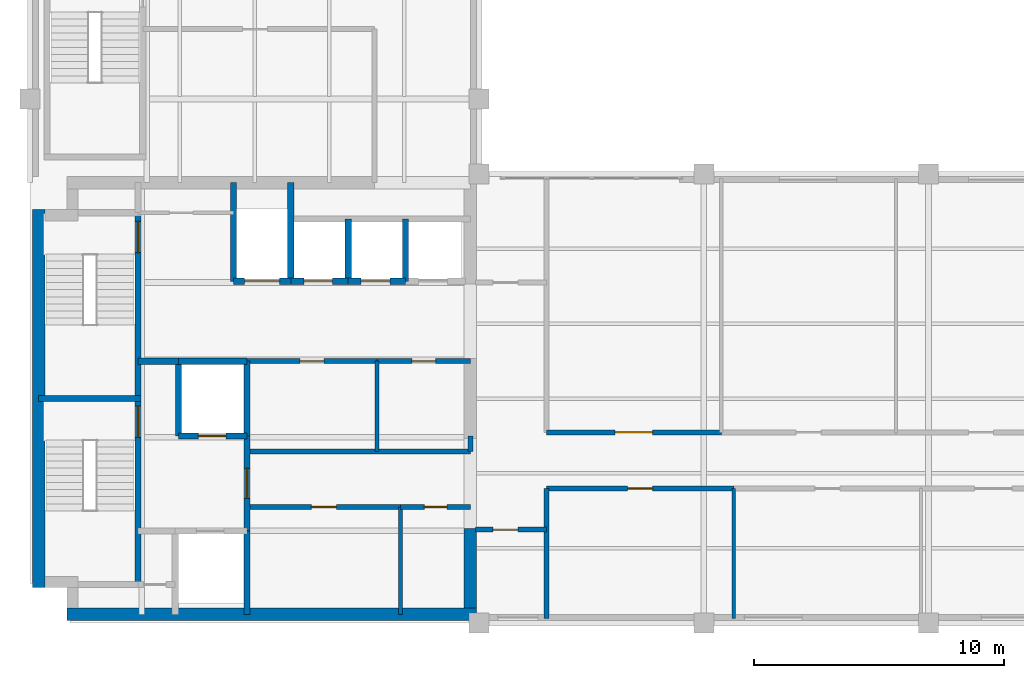
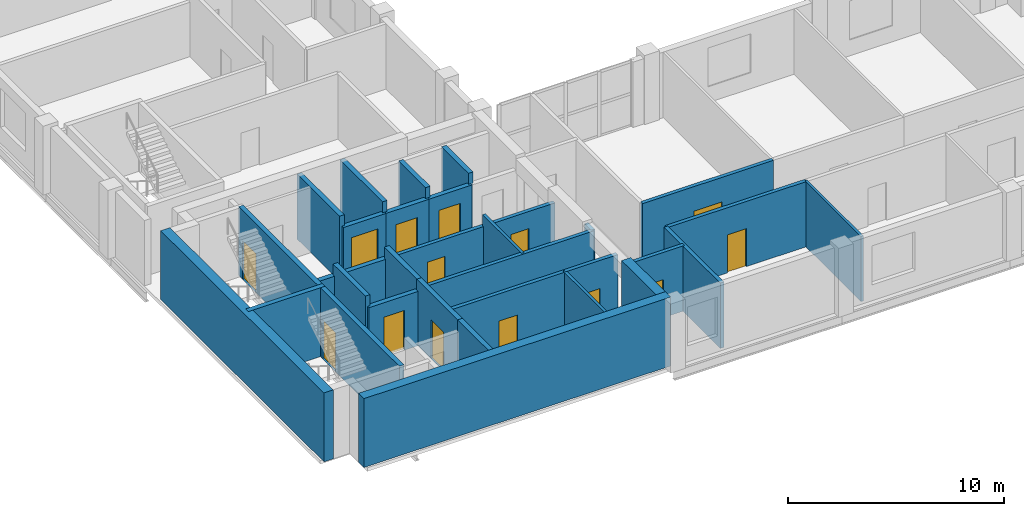
# One storey, part 4 of 7: 33 walls, 14 doors, 14 openings.
"""IFC4 building model written with IfcOpenShell, lengths in metres."""

from ifc_helpers import new_model, si_unit, direction, frame, frame_2d, origin, place, context, subcontext, project, spatial, rectangle, extrude, material, layer, layer_set, type_object, element, fill, save


model = new_model("IFC4")

# Units and contexts
model_context = context("Model", 3, precision=1e-05, world=origin(), true_north=direction((0.0, 1.0)))
body_context = subcontext(model_context, "Body", "Model", "MODEL_VIEW")
ifc_project = project(units=[si_unit("LENGTHUNIT", "METRE"), si_unit("AREAUNIT", "SQUARE_METRE"), si_unit("VOLUMEUNIT", "CUBIC_METRE"), si_unit("PLANEANGLEUNIT", "RADIAN"), si_unit("MASSUNIT", "GRAM", prefix="KILO")], contexts=[model_context])

# Site, building, storey
site_placement = place(None, origin())
site = spatial("IfcSite", under=ifc_project, at=site_placement, CompositionType="ELEMENT")
building_placement = place(site_placement, origin())
building = spatial("IfcBuilding", under=site, at=building_placement, Name="Mawjdan Bourse Tower", CompositionType="ELEMENT")
storey_placement = place(building_placement, frame((0.0, 0.0, 235.199951171875)))
storey = spatial("IfcBuildingStorey", under=building, at=storey_placement, Name="L57", CompositionType="ELEMENT", Elevation=235.199951171875)

# Wall, opening, door
ifc_material_1 = material(Name="Gypsum Fireboard Assembly")
ifc_layer_1 = layer(ifc_material_1, 0.199951171875)
ifc_layer_set_1 = layer_set([ifc_layer_1], Name="Gypsum Fireboard Assembly")
wall_type_1 = type_object("IfcWallType", Name="WL-CMP-200", PredefinedType="PARTITIONING", material=ifc_layer_set_1)
wall_1_placement = place(storey_placement, frame((14.699951171875, 7.659912109375, 0.0), z_axis=(0.0, 0.0, 1.0), x_axis=(1.0, 0.0, 0.0)))
wall_1 = element("IfcWall", 1, at=wall_1_placement, inside=storey, type_object=wall_type_1, Name="L57 Staff Wellness Lounge North Wall", PredefinedType="PARTITIONING", context=body_context, shape_type="SweptSolid", body=[
    extrude(rectangle(XDim=6.150146484375, YDim=0.199951171875, at=frame_2d((3.0751953125, 0.0))), origin(), (0.0, 0.0, 1.0), 3.68994140625),
])
opening_1_placement = place(wall_1_placement, frame((2.574951171875, 0.0, 0.0)))
opening_1 = element("IfcOpeningElement", 2, at=opening_1_placement, cuts=wall_1, Name="Opening D-L57-13", PredefinedType="OPENING", context=body_context, shape_type="SweptSolid", body=[
    extrude(rectangle(XDim=1.0, YDim=2.14990234375, at=frame_2d((0.5, 1.074951171875))), frame((0.0, 0.10986328125, 0.0), z_axis=(0.0, -1.0, 0.0), x_axis=(1.0, 0.0, 0.0)), (0.0, 0.0, 1.0), 0.219970703125),
])
ifc_material_2 = material(Name="Hardwood Acoustic Leaf", Category="wood")
door_type_1 = type_object("IfcDoorType", Name="DR-OFC-1000", OperationType="NOTDEFINED", PredefinedType="DOOR", material=ifc_material_2)
door_1_placement = place(opening_1_placement, origin())
door_1 = element("IfcDoor", 3, at=door_1_placement, inside=storey, type_object=door_type_1, Name="L57 Staff Wellness Lounge Door D-L57-13", OperationType="SINGLE_SWING_RIGHT", OverallHeight=2.14990234375, OverallWidth=1.0, PredefinedType="DOOR", context=body_context, shape_type="SweptSolid", body=[
    extrude(rectangle(XDim=1.0, YDim=2.14990234375, at=frame_2d((0.5, 1.074951171875))), frame((0.0, 0.02490234375, 0.0), z_axis=(0.0, -1.0, 0.0), x_axis=(1.0, 0.0, 0.0)), (0.0, 0.0, 1.0), 0.050048828125),
])
fill(opening_1, door_1)

wall_2_placement = place(storey_placement, frame((20.85009765625, 7.659912109375, 0.0), z_axis=(0.0, 0.0, 1.0), x_axis=(1.0, 0.0, 0.0)))
wall_2 = element("IfcWall", 4, at=wall_2_placement, inside=storey, type_object=wall_type_1, Name="L57 Telemetry Control Room North Wall", PredefinedType="PARTITIONING", context=body_context, shape_type="SweptSolid", body=[
    extrude(rectangle(XDim=2.7998046875, YDim=0.199951171875, at=frame_2d((1.39990234375, 0.0))), origin(), (0.0, 0.0, 1.0), 3.68994140625),
])
opening_2_placement = place(wall_2_placement, frame((0.949951171875, 0.0, 0.0)))
opening_2 = element("IfcOpeningElement", 5, at=opening_2_placement, cuts=wall_2, Name="Opening D-L57-14", PredefinedType="OPENING", context=body_context, shape_type="SweptSolid", body=[
    extrude(rectangle(XDim=0.89990234375, YDim=2.10009765625, at=frame_2d((0.449951171875, 1.050048828125))), frame((0.0, 0.10986328125, 0.0), z_axis=(0.0, -1.0, 0.0), x_axis=(1.0, 0.0, 0.0)), (0.0, 0.0, 1.0), 0.219970703125),
])
ifc_material_3 = material(Name="Fire-Rated Steel Access Leaf", Category="steel")
door_type_2 = type_object("IfcDoorType", Name="FD-RSR-0900", OperationType="NOTDEFINED", PredefinedType="TRAPDOOR", material=ifc_material_3)
door_2_placement = place(opening_2_placement, origin())
door_2 = element("IfcDoor", 6, at=door_2_placement, inside=storey, type_object=door_type_2, Name="L57 Telemetry Control Room Door D-L57-14", OperationType="SINGLE_SWING_LEFT", OverallHeight=2.10009765625, OverallWidth=0.89990234375, PredefinedType="TRAPDOOR", context=body_context, shape_type="SweptSolid", body=[
    extrude(rectangle(XDim=0.89990234375, YDim=2.10009765625, at=frame_2d((0.449951171875, 1.050048828125))), frame((0.0, 0.02490234375, 0.0), z_axis=(0.0, -1.0, 0.0), x_axis=(1.0, 0.0, 0.0)), (0.0, 0.0, 1.0), 0.050048828125),
])
fill(opening_2, door_2)

# Walls
wall_3_placement = place(storey_placement, frame((14.824951171875, 9.8798828125, 0.0), z_axis=(0.0, 0.0, 1.0), x_axis=(1.0, 0.0, 0.0)))
element("IfcWall", 7, at=wall_3_placement, inside=storey, type_object=wall_type_1, Name="L57 Core Restroom Suite South Wall", PredefinedType="PARTITIONING", context=body_context, shape_type="SweptSolid", body=[
    extrude(rectangle(XDim=8.824951171875, YDim=0.199951171875, at=frame_2d((4.41259765625, 0.0))), origin(), (0.0, 0.0, 1.0), 3.68994140625),
])
wall_4_placement = place(storey_placement, frame((23.64990234375, 9.8798828125, 0.0), z_axis=(0.0, 0.0, 1.0), x_axis=(0.0, 1.0, 0.0)))
element("IfcWall", 8, at=wall_4_placement, inside=storey, type_object=wall_type_1, Name="L57 Core Restroom East Return", PredefinedType="PARTITIONING", context=body_context, shape_type="SweptSolid", body=[
    extrude(rectangle(XDim=0.6201171875, YDim=0.199951171875, at=frame_2d((0.31005859375, 0.0))), origin(), (0.0, 0.0, 1.0), 3.68994140625),
])

# Wall, opening, door
wall_5_placement = place(storey_placement, frame((14.699951171875, 13.5, 0.0), z_axis=(0.0, 0.0, 1.0), x_axis=(1.0, 0.0, 0.0)))
wall_5 = element("IfcWall", 9, at=wall_5_placement, inside=storey, type_object=wall_type_1, Name="L57 Accessible WC North Wall", PredefinedType="PARTITIONING", context=body_context, shape_type="SweptSolid", body=[
    extrude(rectangle(XDim=5.199951171875, YDim=0.199951171875, at=frame_2d((2.60009765625, 0.0))), origin(), (0.0, 0.0, 1.0), 3.072998046875),
])
opening_3_placement = place(wall_5_placement, frame((2.125, 0.0, 0.0)))
opening_3 = element("IfcOpeningElement", 10, at=opening_3_placement, cuts=wall_5, Name="Opening D-L57-15", PredefinedType="OPENING", context=body_context, shape_type="SweptSolid", body=[
    extrude(rectangle(XDim=0.949951171875, YDim=2.10009765625, at=frame_2d((0.47509765625, 1.050048828125))), frame((0.0, 0.10986328125, 0.0), z_axis=(0.0, -1.0, 0.0), x_axis=(1.0, 0.0, 0.0)), (0.0, 0.0, 1.0), 0.219970703125),
])
ifc_material_4 = material(Name="Moisture-Resistant Laminate Timber", Category="wood")
door_type_3 = type_object("IfcDoorType", Name="DR-WET-0950", OperationType="NOTDEFINED", PredefinedType="DOOR", material=ifc_material_4)
door_3_placement = place(opening_3_placement, origin())
door_3 = element("IfcDoor", 11, at=door_3_placement, inside=storey, type_object=door_type_3, Name="L57 Accessible WC Door D-L57-15", OperationType="SINGLE_SWING_RIGHT", OverallHeight=2.10009765625, OverallWidth=0.949951171875, PredefinedType="DOOR", context=body_context, shape_type="SweptSolid", body=[
    extrude(rectangle(XDim=0.949951171875, YDim=2.10009765625, at=frame_2d((0.47509765625, 1.050048828125))), frame((0.0, 0.02490234375, 0.0), z_axis=(0.0, -1.0, 0.0), x_axis=(1.0, 0.0, 0.0)), (0.0, 0.0, 1.0), 0.050048828125),
])
fill(opening_3, door_3)

wall_6_placement = place(storey_placement, frame((19.89990234375, 13.5, 0.0), z_axis=(0.0, 0.0, 1.0), x_axis=(1.0, 0.0, 0.0)))
wall_6 = element("IfcWall", 12, at=wall_6_placement, inside=storey, type_object=wall_type_1, Name="L57 Staff Wellness & Quiet Room North Wall", PredefinedType="PARTITIONING", context=body_context, shape_type="SweptSolid", body=[
    extrude(rectangle(XDim=3.75, YDim=0.199951171875, at=frame_2d((1.875, 0.0))), origin(), (0.0, 0.0, 1.0), 3.072998046875),
])
opening_4_placement = place(wall_6_placement, frame((1.39990234375, 0.0, 0.0)))
opening_4 = element("IfcOpeningElement", 13, at=opening_4_placement, cuts=wall_6, Name="Opening D-L57-16", PredefinedType="OPENING", context=body_context, shape_type="SweptSolid", body=[
    extrude(rectangle(XDim=0.949951171875, YDim=2.10009765625, at=frame_2d((0.47509765625, 1.050048828125))), frame((0.0, 0.10986328125, 0.0), z_axis=(0.0, -1.0, 0.0), x_axis=(1.0, 0.0, 0.0)), (0.0, 0.0, 1.0), 0.219970703125),
])
door_4_placement = place(opening_4_placement, origin())
door_4 = element("IfcDoor", 14, at=door_4_placement, inside=storey, type_object=door_type_3, Name="L57 Staff Wellness & Quiet Room Door D-L57-16", OperationType="SINGLE_SWING_LEFT", OverallHeight=2.10009765625, OverallWidth=0.949951171875, PredefinedType="DOOR", context=body_context, shape_type="SweptSolid", body=[
    extrude(rectangle(XDim=0.949951171875, YDim=2.10009765625, at=frame_2d((0.47509765625, 1.050048828125))), frame((0.0, 0.02490234375, 0.0), z_axis=(0.0, -1.0, 0.0), x_axis=(1.0, 0.0, 0.0)), (0.0, 0.0, 1.0), 0.050048828125),
])
fill(opening_4, door_4)

wall_7_placement = place(storey_placement, frame((23.85009765625, 6.75, 0.0), z_axis=(0.0, 0.0, 1.0), x_axis=(1.0, 0.0, 0.0)))
wall_7 = element("IfcWall", 15, at=wall_7_placement, inside=storey, type_object=wall_type_1, Name="L57 West Pocket North Wall", PredefinedType="PARTITIONING", context=body_context, shape_type="SweptSolid", body=[
    extrude(rectangle(XDim=2.849853515625, YDim=0.199951171875, at=frame_2d((1.4248046875, 0.0))), origin(), (0.0, 0.0, 1.0), 3.68994140625),
])
opening_5_placement = place(wall_7_placement, frame((0.699951171875, 0.0, 0.0)))
opening_5 = element("IfcOpeningElement", 16, at=opening_5_placement, cuts=wall_7, Name="Opening D-L57-19", PredefinedType="OPENING", context=body_context, shape_type="SweptSolid", body=[
    extrude(rectangle(XDim=1.0, YDim=2.14990234375, at=frame_2d((0.5, 1.074951171875))), frame((0.0, 0.10986328125, 0.0), z_axis=(0.0, -1.0, 0.0), x_axis=(1.0, 0.0, 0.0)), (0.0, 0.0, 1.0), 0.219970703125),
])
door_5_placement = place(opening_5_placement, origin())
door_5 = element("IfcDoor", 17, at=door_5_placement, inside=storey, type_object=door_type_1, Name="L57 West Pocket Office Door D-L57-19", OperationType="SINGLE_SWING_RIGHT", OverallHeight=2.14990234375, OverallWidth=1.0, PredefinedType="DOOR", context=body_context, shape_type="SweptSolid", body=[
    extrude(rectangle(XDim=1.0, YDim=2.14990234375, at=frame_2d((0.5, 1.074951171875))), frame((0.0, 0.02490234375, 0.0), z_axis=(0.0, -1.0, 0.0), x_axis=(1.0, 0.0, 0.0)), (0.0, 0.0, 1.0), 0.050048828125),
])
fill(opening_5, door_5)

# Wall
wall_8_placement = place(storey_placement, frame((26.699951171875, 3.179931640625, 0.0), z_axis=(0.0, 0.0, 1.0), x_axis=(0.0, 1.0, 0.0)))
element("IfcWall", 18, at=wall_8_placement, inside=storey, type_object=wall_type_1, Name="L57 Vestibule South East Wall", PredefinedType="PARTITIONING", context=body_context, shape_type="SweptSolid", body=[
    extrude(rectangle(XDim=5.219970703125, YDim=0.199951171875, at=frame_2d((2.60986328125, 0.0))), origin(), (0.0, 0.0, 1.0), 3.68994140625),
])

# Wall, opening, door
wall_9_placement = place(storey_placement, frame((26.699951171875, 8.39990234375, 0.0), z_axis=(0.0, 0.0, 1.0), x_axis=(1.0, 0.0, 0.0)))
wall_9 = element("IfcWall", 19, at=wall_9_placement, inside=storey, type_object=wall_type_1, Name="L57 Private Equity Suite Corridor Wall", PredefinedType="PARTITIONING", context=body_context, shape_type="SweptSolid", body=[
    extrude(rectangle(XDim=7.5, YDim=0.199951171875, at=frame_2d((3.75, 0.0))), origin(), (0.0, 0.0, 1.0), 3.68994140625),
])
opening_6_placement = place(wall_9_placement, frame((3.25, 0.0, 0.0)))
opening_6 = element("IfcOpeningElement", 20, at=opening_6_placement, cuts=wall_9, Name="Opening D-L57-21", PredefinedType="OPENING", context=body_context, shape_type="SweptSolid", body=[
    extrude(rectangle(XDim=1.0, YDim=2.14990234375, at=frame_2d((0.5, 1.074951171875))), frame((0.0, 0.10986328125, 0.0), z_axis=(0.0, -1.0, 0.0), x_axis=(1.0, 0.0, 0.0)), (0.0, 0.0, 1.0), 0.219970703125),
])
door_6_placement = place(opening_6_placement, origin())
door_6 = element("IfcDoor", 21, at=door_6_placement, inside=storey, type_object=door_type_1, Name="L57 Private Equity Suite Door D-L57-21", OperationType="SINGLE_SWING_RIGHT", OverallHeight=2.14990234375, OverallWidth=1.0, PredefinedType="DOOR", context=body_context, shape_type="SweptSolid", body=[
    extrude(rectangle(XDim=1.0, YDim=2.14990234375, at=frame_2d((0.5, 1.074951171875))), frame((0.0, 0.02490234375, 0.0), z_axis=(0.0, -1.0, 0.0), x_axis=(1.0, 0.0, 0.0)), (0.0, 0.0, 1.0), 0.050048828125),
])
fill(opening_6, door_6)

wall_10_placement = place(storey_placement, frame((26.699951171875, 10.64990234375, 0.0), z_axis=(0.0, 0.0, 1.0), x_axis=(1.0, 0.0, 0.0)))
wall_10 = element("IfcWall", 22, at=wall_10_placement, inside=storey, type_object=wall_type_1, Name="L57 Conference Room Corridor Wall", PredefinedType="PARTITIONING", context=body_context, shape_type="SweptSolid", body=[
    extrude(rectangle(XDim=7.0, YDim=0.199951171875, at=frame_2d((3.5, 0.0))), origin(), (0.0, 0.0, 1.0), 3.68994140625),
])
opening_7_placement = place(wall_10_placement, frame((2.75, 0.0, 0.0)))
opening_7 = element("IfcOpeningElement", 23, at=opening_7_placement, cuts=wall_10, Name="Opening D-L57-24", PredefinedType="OPENING", context=body_context, shape_type="SweptSolid", body=[
    extrude(rectangle(XDim=1.5, YDim=2.300048828125, at=frame_2d((0.75, 1.14990234375))), frame((0.0, 0.10986328125, 0.0), z_axis=(0.0, -1.0, 0.0), x_axis=(1.0, 0.0, 0.0)), (0.0, 0.0, 1.0), 0.219970703125),
])
ifc_material_5 = material(Name="Acoustic Glazed Timber", Category="wood")
door_type_4 = type_object("IfcDoorType", Name="DR-CNF-1500", OperationType="DOUBLE_DOOR_SINGLE_SWING", PredefinedType="DOOR", material=ifc_material_5)
door_7_placement = place(opening_7_placement, origin())
door_7 = element("IfcDoor", 24, at=door_7_placement, inside=storey, type_object=door_type_4, Name="L57 Conference Room Door D-L57-24", OperationType="DOUBLE_DOOR_SINGLE_SWING", OverallHeight=2.300048828125, OverallWidth=1.5, PredefinedType="DOOR", context=body_context, shape_type="SweptSolid", body=[
    extrude(rectangle(XDim=1.5, YDim=2.300048828125, at=frame_2d((0.75, 1.14990234375))), frame((0.0, 0.02490234375, 0.0), z_axis=(0.0, -1.0, 0.0), x_axis=(1.0, 0.0, 0.0)), (0.0, 0.0, 1.0), 0.050048828125),
])
fill(opening_7, door_7)

# Walls
ifc_material_6 = material(Name="Concrete C60/75", Category="concrete")
ifc_layer_2 = layer(ifc_material_6, 0.5)
ifc_layer_set_2 = layer_set([ifc_layer_2], Name="Concrete C60/75")
wall_type_2 = type_object("IfcWallType", Name="WL-CORE-500", PredefinedType="SHEAR", material=ifc_layer_set_2)
wall_11_placement = place(storey_placement, frame((7.47509765625, 3.35009765625, 0.0), z_axis=(0.0, 0.0, 1.0), x_axis=(1.0, 0.0, 0.0)))
element("IfcWall", 25, at=wall_11_placement, inside=storey, type_object=wall_type_2, Name="L57 Rear Core Shear Wall S", PredefinedType="SHEAR", context=body_context, shape_type="SweptSolid", body=[
    extrude(rectangle(XDim=16.4248046875, YDim=0.5, at=frame_2d((8.21240234375, 0.0))), origin(), (0.0, 0.0, 1.0), 3.900146484375),
])
wall_12_placement = place(storey_placement, frame((6.35009765625, 4.425048828125, 0.0), z_axis=(0.0, 0.0, 1.0), x_axis=(0.0, 1.0, 0.0)))
element("IfcWall", 26, at=wall_12_placement, inside=storey, type_object=wall_type_2, Name="L57 Rear Core Shear Wall W", PredefinedType="SHEAR", context=body_context, shape_type="SweptSolid", body=[
    extrude(rectangle(XDim=15.14990234375, YDim=0.5, at=frame_2d((7.574951171875, 0.0))), origin(), (0.0, 0.0, 1.0), 3.900146484375),
])
wall_13_placement = place(storey_placement, frame((23.64990234375, 3.60009765625, 0.0), z_axis=(0.0, 0.0, 1.0), x_axis=(0.0, 1.0, 0.0)))
element("IfcWall", 27, at=wall_13_placement, inside=storey, type_object=wall_type_2, Name="L57 Rear Core Shear Wall E1", PredefinedType="SHEAR", context=body_context, shape_type="SweptSolid", body=[
    extrude(rectangle(XDim=3.199951171875, YDim=0.5, at=frame_2d((1.60009765625, 0.0))), origin(), (0.0, 0.0, 1.0), 3.900146484375),
])
ifc_material_7 = material(Name="Gypsum Partition")
ifc_layer_3 = layer(ifc_material_7, 0.125)
ifc_layer_set_3 = layer_set([ifc_layer_3], Name="Gypsum Partition")
wall_type_3 = type_object("IfcWallType", Name="WL-PRT-125", PredefinedType="PARTITIONING", material=ifc_layer_set_3)
wall_14_placement = place(storey_placement, frame((34.199951171875, 3.179931640625, 0.0), z_axis=(0.0, 0.0, 1.0), x_axis=(0.0, 1.0, 0.0)))
element("IfcWall", 28, at=wall_14_placement, inside=storey, type_object=wall_type_3, Name="L57 Executive Office Partition", PredefinedType="PARTITIONING", context=body_context, shape_type="SweptSolid", body=[
    extrude(rectangle(XDim=5.219970703125, YDim=0.125, at=frame_2d((2.60986328125, 0.0))), origin(), (0.0, 0.0, 1.0), 3.68994140625),
])
ifc_material_8 = material(Name="Gypsum Acoustic Partition")
ifc_layer_4 = layer(ifc_material_8, 0.14990234375)
ifc_layer_set_4 = layer_set([ifc_layer_4], Name="Gypsum Acoustic Partition")
wall_type_4 = type_object("IfcWallType", Name="WL-PRT-150", PredefinedType="PARTITIONING", material=ifc_layer_set_4)
wall_15_placement = place(storey_placement, frame((20.85009765625, 3.35009765625, 0.0), z_axis=(0.0, 0.0, 1.0), x_axis=(0.0, 1.0, 0.0)))
element("IfcWall", 29, at=wall_15_placement, inside=storey, type_object=wall_type_4, Name="L57 Telemetry Control Room Core Split Wall", PredefinedType="PARTITIONING", context=body_context, shape_type="SweptSolid", body=[
    extrude(rectangle(XDim=4.309814453125, YDim=0.14990234375, at=frame_2d((2.15478515625, 0.0))), origin(), (0.0, 0.0, 1.0), 3.68994140625),
])
wall_16_placement = place(storey_placement, frame((19.89990234375, 9.8798828125, 0.0), z_axis=(0.0, 0.0, 1.0), x_axis=(0.0, 1.0, 0.0)))
element("IfcWall", 30, at=wall_16_placement, inside=storey, type_object=wall_type_4, Name="L57 Staff Wellness & Quiet Room Split Wall", PredefinedType="PARTITIONING", context=body_context, shape_type="SweptSolid", body=[
    extrude(rectangle(XDim=3.6201171875, YDim=0.14990234375, at=frame_2d((1.81005859375, 0.0))), origin(), (0.0, 0.0, 1.0), 3.68994140625),
])
ifc_material_9 = material(Name="Concrete C50/60", Category="concrete")
ifc_layer_5 = layer(ifc_material_9, 0.25)
ifc_layer_set_5 = layer_set([ifc_layer_5], Name="Concrete C50/60")
wall_type_5 = type_object("IfcWallType", Name="WL-SHFT-250", PredefinedType="PARTITIONING", material=ifc_layer_set_5)
wall_17_placement = place(storey_placement, frame((14.699951171875, 3.35009765625, 0.0), z_axis=(0.0, 0.0, 1.0), x_axis=(0.0, 1.0, 0.0)))
element("IfcWall", 31, at=wall_17_placement, inside=storey, type_object=wall_type_5, Name="L57 FFL-01 East Shaft Wall", PredefinedType="PARTITIONING", context=body_context, shape_type="SweptSolid", body=[
    extrude(rectangle(XDim=3.349853515625, YDim=0.25, at=frame_2d((1.6748046875, 0.0))), origin(), (0.0, 0.0, 1.0), 3.68994140625),
])

# Wall, opening, door
wall_18_placement = place(storey_placement, frame((11.949951171875, 10.5, 0.0), z_axis=(0.0, 0.0, 1.0), x_axis=(1.0, 0.0, 0.0)))
wall_18 = element("IfcWall", 32, at=wall_18_placement, inside=storey, type_object=wall_type_5, Name="L57 FFL-02 Front Shaft Wall", PredefinedType="PARTITIONING", context=body_context, shape_type="SweptSolid", body=[
    extrude(rectangle(XDim=2.75, YDim=0.25, at=frame_2d((1.375, 0.0))), origin(), (0.0, 0.0, 1.0), 3.072998046875),
])
opening_8_placement = place(wall_18_placement, frame((0.800048828125, 0.0, 0.0)))
opening_8 = element("IfcOpeningElement", 33, at=opening_8_placement, cuts=wall_18, Name="Opening LD-L57-06", PredefinedType="OPENING", context=body_context, shape_type="SweptSolid", body=[
    extrude(rectangle(XDim=1.10009765625, YDim=2.25, at=frame_2d((0.550048828125, 1.125))), frame((0.0, 0.135009765625, 0.0), z_axis=(0.0, -1.0, 0.0), x_axis=(1.0, 0.0, 0.0)), (0.0, 0.0, 1.0), 0.27001953125),
])
ifc_material_10 = material(Name="Brushed Stainless Steel", Category="steel")
door_type_5 = type_object("IfcDoorType", Name="LD-FFL-1100", OperationType="DOUBLE_DOOR_SLIDING", PredefinedType="DOOR", material=ifc_material_10)
door_8_placement = place(opening_8_placement, origin())
door_8 = element("IfcDoor", 34, at=door_8_placement, inside=storey, type_object=door_type_5, Name="L57 Firefighting Lift FFL-02 Landing Door LD-L57-06", OperationType="DOUBLE_DOOR_SLIDING", OverallHeight=2.25, OverallWidth=1.10009765625, PredefinedType="DOOR", context=body_context, shape_type="SweptSolid", body=[
    extrude(rectangle(XDim=1.10009765625, YDim=2.25, at=frame_2d((0.550048828125, 1.125))), frame((0.0, 0.02490234375, 0.0), z_axis=(0.0, -1.0, 0.0), x_axis=(1.0, 0.0, 0.0)), (0.0, 0.0, 1.0), 0.050048828125),
])
fill(opening_8, door_8)

# Walls
wall_19_placement = place(storey_placement, frame((11.949951171875, 10.5, 0.0), z_axis=(0.0, 0.0, 1.0), x_axis=(0.0, 1.0, 0.0)))
element("IfcWall", 35, at=wall_19_placement, inside=storey, type_object=wall_type_5, Name="L57 FFL-02 West Shaft Wall", PredefinedType="PARTITIONING", context=body_context, shape_type="SweptSolid", body=[
    extrude(rectangle(XDim=3.0, YDim=0.25, at=frame_2d((1.5, 0.0))), origin(), (0.0, 0.0, 1.0), 3.68994140625),
])
wall_20_placement = place(storey_placement, frame((11.949951171875, 13.5, 0.0), z_axis=(0.0, 0.0, 1.0), x_axis=(1.0, 0.0, 0.0)))
element("IfcWall", 36, at=wall_20_placement, inside=storey, type_object=wall_type_5, Name="L57 FFL-02 North Shaft Wall", PredefinedType="PARTITIONING", context=body_context, shape_type="SweptSolid", body=[
    extrude(rectangle(XDim=2.75, YDim=0.25, at=frame_2d((1.375, 0.0))), origin(), (0.0, 0.0, 1.0), 3.072998046875),
])
wall_21_placement = place(storey_placement, frame((14.699951171875, 10.5, 0.0), z_axis=(0.0, 0.0, 1.0), x_axis=(0.0, 1.0, 0.0)))
element("IfcWall", 37, at=wall_21_placement, inside=storey, type_object=wall_type_5, Name="L57 FFL-02 East Shaft Wall", PredefinedType="PARTITIONING", context=body_context, shape_type="SweptSolid", body=[
    extrude(rectangle(XDim=3.0, YDim=0.25, at=frame_2d((1.5, 0.0))), origin(), (0.0, 0.0, 1.0), 3.68994140625),
])

# Wall, opening, door
wall_22_placement = place(storey_placement, frame((14.699951171875, 6.699951171875, 0.0), z_axis=(0.0, 0.0, 1.0), x_axis=(0.0, 1.0, 0.0)))
wall_22 = element("IfcWall", 38, at=wall_22_placement, inside=storey, type_object=wall_type_5, Name="L57 Firefighting Lobby East Compartment Wall", PredefinedType="PARTITIONING", context=body_context, shape_type="SweptSolid", body=[
    extrude(rectangle(XDim=3.800048828125, YDim=0.25, at=frame_2d((1.89990234375, 0.0))), origin(), (0.0, 0.0, 1.0), 3.68994140625),
])
opening_9_placement = place(wall_22_placement, frame((1.300048828125, 0.0, 0.0)))
opening_9 = element("IfcOpeningElement", 39, at=opening_9_placement, cuts=wall_22, Name="Opening FD-L57-07", PredefinedType="OPENING", context=body_context, shape_type="SweptSolid", body=[
    extrude(rectangle(XDim=1.199951171875, YDim=2.199951171875, at=frame_2d((0.60009765625, 1.10009765625))), frame((0.0, 0.135009765625, 0.0), z_axis=(0.0, -1.0, 0.0), x_axis=(1.0, 0.0, 0.0)), (0.0, 0.0, 1.0), 0.27001953125),
])
ifc_material_11 = material(Name="Fire-Rated Steel Leaf", Category="steel")
door_type_6 = type_object("IfcDoorType", Name="FD-FFL-1200", OperationType="NOTDEFINED", PredefinedType="DOOR", material=ifc_material_11)
door_9_placement = place(opening_9_placement, origin())
door_9 = element("IfcDoor", 40, at=door_9_placement, inside=storey, type_object=door_type_6, Name="L57 Firefighting Lobby East Smoke Door FD-L57-07", OperationType="SINGLE_SWING_RIGHT", OverallHeight=2.199951171875, OverallWidth=1.199951171875, PredefinedType="DOOR", context=body_context, shape_type="SweptSolid", body=[
    extrude(rectangle(XDim=1.199951171875, YDim=2.199951171875, at=frame_2d((0.60009765625, 1.10009765625))), frame((0.0, 0.02490234375, 0.0), z_axis=(0.0, -1.0, 0.0), x_axis=(1.0, 0.0, 0.0)), (0.0, 0.0, 1.0), 0.050048828125),
])
fill(opening_9, door_9)

# Wall
wall_23_placement = place(storey_placement, frame((10.330078125, 13.5, 0.0), z_axis=(0.0, 0.0, 1.0), x_axis=(1.0, 0.0, 0.0)))
element("IfcWall", 41, at=wall_23_placement, inside=storey, type_object=wall_type_5, Name="L57 Firefighting Lobby North Compartment Wall", PredefinedType="PARTITIONING", context=body_context, shape_type="SweptSolid", body=[
    extrude(rectangle(XDim=1.619873046875, YDim=0.25, at=frame_2d((0.81005859375, 0.0))), origin(), (0.0, 0.0, 1.0), 3.072998046875),
])

# Wall, opening, door
wall_24_placement = place(storey_placement, frame((14.14990234375, 16.699951171875, 0.0), z_axis=(0.0, 0.0, 1.0), x_axis=(1.0, 0.0, 0.0)))
wall_24 = element("IfcWall", 42, at=wall_24_placement, inside=storey, type_object=wall_type_5, Name="L57 SVL-01 Front Shaft Wall", PredefinedType="PARTITIONING", context=body_context, shape_type="SweptSolid", body=[
    extrude(rectangle(XDim=2.300048828125, YDim=0.25, at=frame_2d((1.14990234375, 0.0))), origin(), (0.0, 0.0, 1.0), 3.072998046875),
])
opening_10_placement = place(wall_24_placement, frame((0.449951171875, 0.0, 0.0)))
opening_10 = element("IfcOpeningElement", 43, at=opening_10_placement, cuts=wall_24, Name="Opening LD-L57-09", PredefinedType="OPENING", context=body_context, shape_type="SweptSolid", body=[
    extrude(rectangle(XDim=1.39990234375, YDim=2.35009765625, at=frame_2d((0.699951171875, 1.175048828125))), frame((0.0, 0.135009765625, 0.0), z_axis=(0.0, -1.0, 0.0), x_axis=(1.0, 0.0, 0.0)), (0.0, 0.0, 1.0), 0.27001953125),
])
ifc_material_12 = material(Name="Heavy-Duty Stainless Steel", Category="steel")
door_type_7 = type_object("IfcDoorType", Name="LD-SRV-1400", OperationType="DOUBLE_DOOR_SLIDING", PredefinedType="DOOR", material=ifc_material_12)
door_10_placement = place(opening_10_placement, origin())
door_10 = element("IfcDoor", 44, at=door_10_placement, inside=storey, type_object=door_type_7, Name="L57 Service Lift SVL-01 Landing Door LD-L57-09", OperationType="DOUBLE_DOOR_SLIDING", OverallHeight=2.35009765625, OverallWidth=1.39990234375, PredefinedType="DOOR", context=body_context, shape_type="SweptSolid", body=[
    extrude(rectangle(XDim=1.39990234375, YDim=2.35009765625, at=frame_2d((0.699951171875, 1.175048828125))), frame((0.0, 0.02490234375, 0.0), z_axis=(0.0, -1.0, 0.0), x_axis=(1.0, 0.0, 0.0)), (0.0, 0.0, 1.0), 0.050048828125),
])
fill(opening_10, door_10)

# Walls
for number, where, z_axis, x_axis, name in (
    (45, (14.14990234375, 16.699951171875, 0.0), (0.0, 0.0, 1.0), (0.0, 1.0, 0.0), "L57 SVL-01 West Shaft Wall"),
    (46, (16.449951171875, 16.699951171875, 0.0), (0.0, 0.0, 1.0), (0.0, 1.0, 0.0), "L57 SVL-01 East Shaft Wall"),
):
    element("IfcWall", number, at=place(storey_placement, frame(where, z_axis=z_axis, x_axis=x_axis)), inside=storey, type_object=wall_type_5, Name=name, PredefinedType="PARTITIONING", context=body_context, shape_type="SweptSolid", body=[
        extrude(rectangle(XDim=3.949951171875, YDim=0.25, at=frame_2d((1.97509765625, 0.0))), origin(), (0.0, 0.0, 1.0), 3.68994140625),
    ])

# Wall, opening, door
wall_25_placement = place(storey_placement, frame((16.449951171875, 16.699951171875, 0.0), z_axis=(0.0, 0.0, 1.0), x_axis=(1.0, 0.0, 0.0)))
wall_25 = element("IfcWall", 47, at=wall_25_placement, inside=storey, type_object=wall_type_5, Name="L57 PH-01 Front Wall", PredefinedType="PARTITIONING", context=body_context, shape_type="SweptSolid", body=[
    extrude(rectangle(XDim=2.300048828125, YDim=0.25, at=frame_2d((1.14990234375, 0.0))), origin(), (0.0, 0.0, 1.0), 3.072998046875),
])
opening_11_placement = place(wall_25_placement, frame((0.52001953125, 0.0, 0.0)))
opening_11 = element("IfcOpeningElement", 48, at=opening_11_placement, cuts=wall_25, Name="Opening LD-L57-10", PredefinedType="OPENING", context=body_context, shape_type="SweptSolid", body=[
    extrude(rectangle(XDim=1.14990234375, YDim=2.25, at=frame_2d((0.574951171875, 1.125))), frame((0.0, 0.135009765625, 0.0), z_axis=(0.0, -1.0, 0.0), x_axis=(1.0, 0.0, 0.0)), (0.0, 0.0, 1.0), 0.27001953125),
])
door_type_8 = type_object("IfcDoorType", Name="LD-PAS-1150", OperationType="DOUBLE_DOOR_SLIDING", PredefinedType="DOOR", material=ifc_material_10)
door_11_placement = place(opening_11_placement, origin())
door_11 = element("IfcDoor", 49, at=door_11_placement, inside=storey, type_object=door_type_8, Name="L57 Lift PH-01 Landing Door LD-L57-10", OperationType="DOUBLE_DOOR_SLIDING", OverallHeight=2.25, OverallWidth=1.14990234375, PredefinedType="DOOR", context=body_context, shape_type="SweptSolid", body=[
    extrude(rectangle(XDim=1.14990234375, YDim=2.25, at=frame_2d((0.574951171875, 1.125))), frame((0.0, 0.02490234375, 0.0), z_axis=(0.0, -1.0, 0.0), x_axis=(1.0, 0.0, 0.0)), (0.0, 0.0, 1.0), 0.050048828125),
])
fill(opening_11, door_11)

# Wall
wall_26_placement = place(storey_placement, frame((18.75, 16.699951171875, 0.0), z_axis=(0.0, 0.0, 1.0), x_axis=(0.0, 1.0, 0.0)))
element("IfcWall", 50, at=wall_26_placement, inside=storey, type_object=wall_type_5, Name="L57 PH-01 Divider Wall", PredefinedType="PARTITIONING", context=body_context, shape_type="SweptSolid", body=[
    extrude(rectangle(XDim=2.5, YDim=0.25, at=frame_2d((1.25, 0.0))), origin(), (0.0, 0.0, 1.0), 3.68994140625),
])

# Wall, opening, door
wall_27_placement = place(storey_placement, frame((18.75, 16.699951171875, 0.0), z_axis=(0.0, 0.0, 1.0), x_axis=(1.0, 0.0, 0.0)))
wall_27 = element("IfcWall", 51, at=wall_27_placement, inside=storey, type_object=wall_type_5, Name="L57 PH-02 Front Wall", PredefinedType="PARTITIONING", context=body_context, shape_type="SweptSolid", body=[
    extrude(rectangle(XDim=2.300048828125, YDim=0.25, at=frame_2d((1.14990234375, 0.0))), origin(), (0.0, 0.0, 1.0), 3.072998046875),
])
opening_12_placement = place(wall_27_placement, frame((0.52001953125, 0.0, 0.0)))
opening_12 = element("IfcOpeningElement", 52, at=opening_12_placement, cuts=wall_27, Name="Opening LD-L57-11", PredefinedType="OPENING", context=body_context, shape_type="SweptSolid", body=[
    extrude(rectangle(XDim=1.14990234375, YDim=2.25, at=frame_2d((0.574951171875, 1.125))), frame((0.0, 0.135009765625, 0.0), z_axis=(0.0, -1.0, 0.0), x_axis=(1.0, 0.0, 0.0)), (0.0, 0.0, 1.0), 0.27001953125),
])
door_12_placement = place(opening_12_placement, origin())
door_12 = element("IfcDoor", 53, at=door_12_placement, inside=storey, type_object=door_type_8, Name="L57 Lift PH-02 Landing Door LD-L57-11", OperationType="DOUBLE_DOOR_SLIDING", OverallHeight=2.25, OverallWidth=1.14990234375, PredefinedType="DOOR", context=body_context, shape_type="SweptSolid", body=[
    extrude(rectangle(XDim=1.14990234375, YDim=2.25, at=frame_2d((0.574951171875, 1.125))), frame((0.0, 0.02490234375, 0.0), z_axis=(0.0, -1.0, 0.0), x_axis=(1.0, 0.0, 0.0)), (0.0, 0.0, 1.0), 0.050048828125),
])
fill(opening_12, door_12)

# Walls
wall_28_placement = place(storey_placement, frame((21.050048828125, 16.699951171875, 0.0), z_axis=(0.0, 0.0, 1.0), x_axis=(0.0, 1.0, 0.0)))
element("IfcWall", 54, at=wall_28_placement, inside=storey, type_object=wall_type_5, Name="L57 PH-02 Divider Wall", PredefinedType="PARTITIONING", context=body_context, shape_type="SweptSolid", body=[
    extrude(rectangle(XDim=2.5, YDim=0.25, at=frame_2d((1.25, 0.0))), origin(), (0.0, 0.0, 1.0), 3.68994140625),
])
ifc_layer_6 = layer(ifc_material_9, 0.25)
ifc_layer_set_6 = layer_set([ifc_layer_6], Name="Concrete C50/60")
wall_type_6 = type_object("IfcWallType", Name="WL-STRW-250", PredefinedType="SHEAR", material=ifc_layer_set_6)
wall_29_placement = place(storey_placement, frame((6.35009765625, 12.0, 0.0), z_axis=(0.0, 0.0, 1.0), x_axis=(1.0, 0.0, 0.0)))
element("IfcWall", 55, at=wall_29_placement, inside=storey, type_object=wall_type_6, Name="L57 Stairwell Dividing Shaft Wall", PredefinedType="SHEAR", context=body_context, shape_type="SweptSolid", body=[
    extrude(rectangle(XDim=4.10498046875, YDim=0.25, at=frame_2d((2.052490234375, 0.0))), origin(), (0.0, 0.0, 1.0), 3.900146484375),
])

# Wall, opening, door
wall_30_placement = place(storey_placement, frame((10.330078125, 4.550048828125, 0.0), z_axis=(0.0, 0.0, 1.0), x_axis=(0.0, 1.0, 0.0)))
wall_30 = element("IfcWall", 56, at=wall_30_placement, inside=storey, type_object=wall_type_6, Name="L57 Stairwell ST1 East Enclosure Wall", PredefinedType="SHEAR", context=body_context, shape_type="SweptSolid", body=[
    extrude(rectangle(XDim=7.449951171875, YDim=0.25, at=frame_2d((3.72509765625, 0.0))), origin(), (0.0, 0.0, 1.0), 3.900146484375),
])
opening_13_placement = place(wall_30_placement, frame((5.89990234375, 0.0, 0.0)))
opening_13 = element("IfcOpeningElement", 57, at=opening_13_placement, cuts=wall_30, Name="Opening SD-L57-01", PredefinedType="OPENING", context=body_context, shape_type="SweptSolid", body=[
    extrude(rectangle(XDim=1.25, YDim=2.199951171875, at=frame_2d((0.625, 1.10009765625))), frame((0.0, 0.135009765625, 0.0), z_axis=(0.0, -1.0, 0.0), x_axis=(1.0, 0.0, 0.0)), (0.0, 0.0, 1.0), 0.27001953125),
])
door_type_9 = type_object("IfcDoorType", Name="FD-ST-1250", OperationType="NOTDEFINED", PredefinedType="DOOR", material=ifc_material_11)
door_13_placement = place(opening_13_placement, origin())
door_13 = element("IfcDoor", 58, at=door_13_placement, inside=storey, type_object=door_type_9, Name="L57 Exit Stair ST1 Fire Door SD-L57-01", OperationType="SINGLE_SWING_RIGHT", OverallHeight=2.199951171875, OverallWidth=1.25, PredefinedType="DOOR", context=body_context, shape_type="SweptSolid", body=[
    extrude(rectangle(XDim=1.25, YDim=2.199951171875, at=frame_2d((0.625, 1.10009765625))), frame((0.0, 0.02490234375, 0.0), z_axis=(0.0, -1.0, 0.0), x_axis=(1.0, 0.0, 0.0)), (0.0, 0.0, 1.0), 0.050048828125),
])
fill(opening_13, door_13)

wall_31_placement = place(storey_placement, frame((10.330078125, 12.0, 0.0), z_axis=(0.0, 0.0, 1.0), x_axis=(0.0, 1.0, 0.0)))
wall_31 = element("IfcWall", 59, at=wall_31_placement, inside=storey, type_object=wall_type_6, Name="L57 Stairwell ST2 East Enclosure Wall", PredefinedType="SHEAR", context=body_context, shape_type="SweptSolid", body=[
    extrude(rectangle(XDim=7.449951171875, YDim=0.25, at=frame_2d((3.72509765625, 0.0))), origin(), (0.0, 0.0, 1.0), 3.900146484375),
])
opening_14_placement = place(wall_31_placement, frame((5.85009765625, 0.0, 0.0)))
opening_14 = element("IfcOpeningElement", 60, at=opening_14_placement, cuts=wall_31, Name="Opening SD-L57-02", PredefinedType="OPENING", context=body_context, shape_type="SweptSolid", body=[
    extrude(rectangle(XDim=1.25, YDim=2.199951171875, at=frame_2d((0.625, 1.10009765625))), frame((0.0, 0.135009765625, 0.0), z_axis=(0.0, -1.0, 0.0), x_axis=(1.0, 0.0, 0.0)), (0.0, 0.0, 1.0), 0.27001953125),
])
door_14_placement = place(opening_14_placement, origin())
door_14 = element("IfcDoor", 61, at=door_14_placement, inside=storey, type_object=door_type_9, Name="L57 Exit Stair ST2 Fire Door SD-L57-02", OperationType="SINGLE_SWING_LEFT", OverallHeight=2.199951171875, OverallWidth=1.25, PredefinedType="DOOR", context=body_context, shape_type="SweptSolid", body=[
    extrude(rectangle(XDim=1.25, YDim=2.199951171875, at=frame_2d((0.625, 1.10009765625))), frame((0.0, 0.02490234375, 0.0), z_axis=(0.0, -1.0, 0.0), x_axis=(1.0, 0.0, 0.0)), (0.0, 0.0, 1.0), 0.050048828125),
])
fill(opening_14, door_14)

save(model, "model.ifc")
